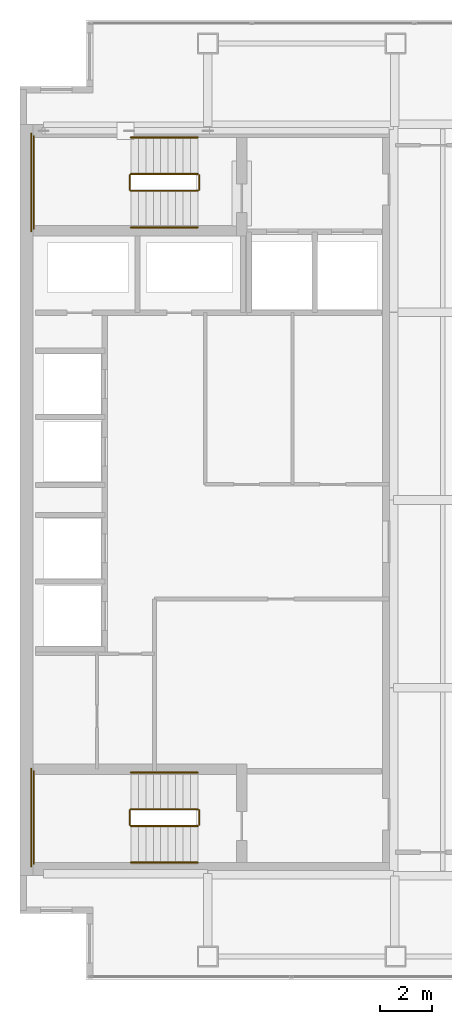
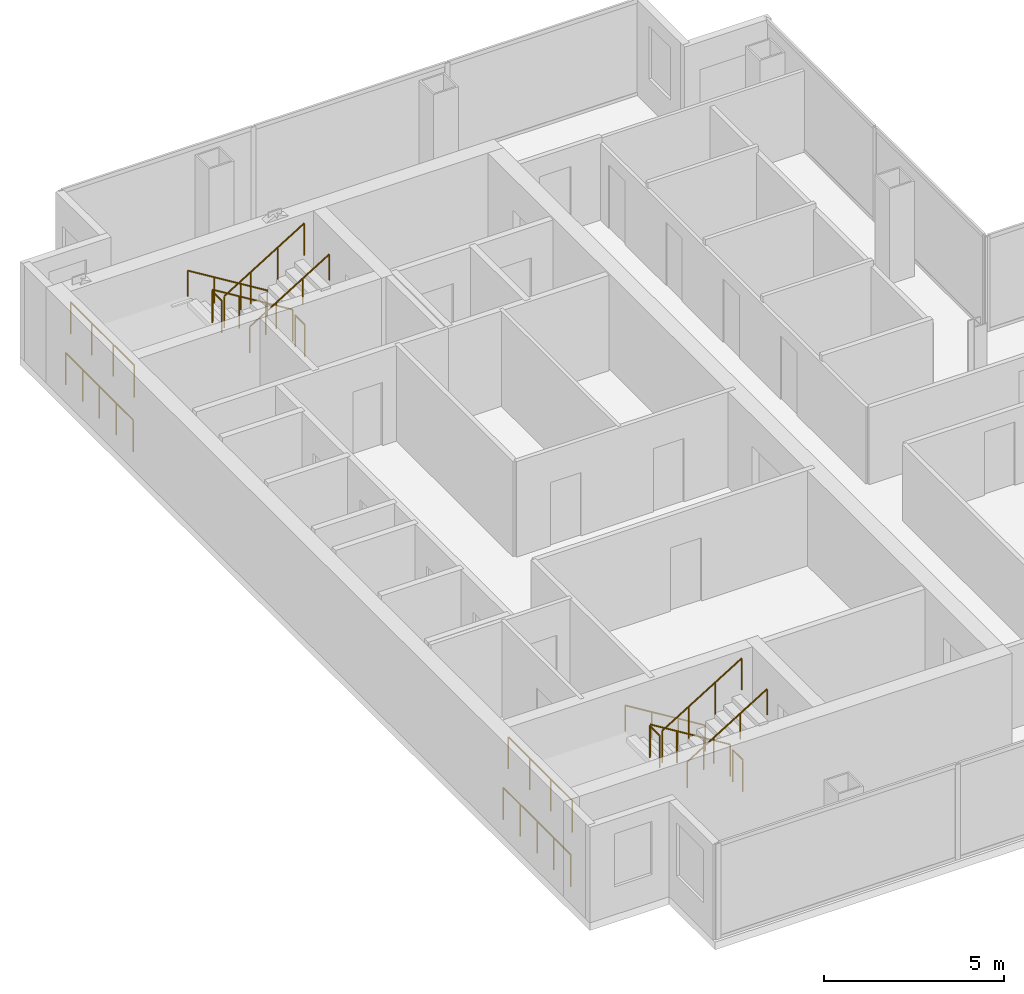
# One storey, part 23 of 23: 16 railings.
"""IFC4 building model written with IfcOpenShell, lengths in metres."""

from ifc_helpers import new_model, si_unit, direction, frame, origin, origin_2d, place, context, subcontext, project, spatial, circle, extrude, material, type_object, element, save


model = new_model("IFC4")

# Units and contexts
model_context = context("Model", 3, precision=1e-05, world=origin(), true_north=direction((0.0, 1.0)))
body_context = subcontext(model_context, "Body", "Model", "MODEL_VIEW")
ifc_project = project(units=[si_unit("LENGTHUNIT", "METRE"), si_unit("AREAUNIT", "SQUARE_METRE"), si_unit("VOLUMEUNIT", "CUBIC_METRE"), si_unit("PLANEANGLEUNIT", "RADIAN"), si_unit("MASSUNIT", "GRAM", prefix="KILO")], contexts=[model_context])

# Site, building, storey
site_placement = place(None, origin())
site = spatial("IfcSite", under=ifc_project, at=site_placement, CompositionType="ELEMENT")
building_placement = place(site_placement, origin())
building = spatial("IfcBuilding", under=site, at=building_placement, Name="Cobrela Telecom Tower", CompositionType="ELEMENT")
storey_placement = place(building_placement, frame((0.0, 0.0, 190.75)))
storey = spatial("IfcBuildingStorey", under=building, at=storey_placement, Name="L48", CompositionType="ELEMENT", Elevation=190.75)

# Railings
ifc_material = material(Name="Steel ASTM A36", Category="steel")
railing_type_1 = type_object("IfcRailingType", Name="RAIL-GUARD-1100", PredefinedType="GUARDRAIL", material=ifc_material)
railing_1_placement = place(storey_placement, frame((6.820068359375, 34.10009765625, 0.175048828125)))
element("IfcRailing", 1, at=railing_1_placement, inside=storey, type_object=railing_type_1, Name="L48 ST1 stair guard 1", PredefinedType="GUARDRAIL", context=body_context, shape_type="SweptSolid", body=[
    extrude(circle(Radius=0.02392578125, at=origin_2d()), frame((0.0, 0.0, 1.076171875), z_axis=(-0.852195335862, 0.0, 0.523223766217), x_axis=(0.0, -1.0, 0.0)), (0.0, 0.0, 1.0), 3.010009765625),
    extrude(circle(Radius=0.02099609375, at=origin_2d()), origin(), (0.0, 0.0, 1.0), 1.052001953125),
    extrude(circle(Radius=0.02099609375, at=origin_2d()), frame((-0.85498046875, 0.0, 0.52490234375)), (0.0, 0.0, 1.0), 1.052001953125),
    extrude(circle(Radius=0.02099609375, at=origin_2d()), frame((-1.710205078125, 0.0, 1.050048828125)), (0.0, 0.0, 1.0), 1.052001953125),
    extrude(circle(Radius=0.02099609375, at=origin_2d()), frame((-2.565185546875, 0.0, 1.574951171875)), (0.0, 0.0, 1.0), 1.052001953125),
])
railing_2_placement = place(storey_placement, frame((4.205078125, 34.050048828125, 1.75)))
element("IfcRailing", 2, at=railing_2_placement, inside=storey, type_object=railing_type_1, Name="L48 ST1 stair guard 2", PredefinedType="GUARDRAIL", context=body_context, shape_type="SweptSolid", body=[
    extrude(circle(Radius=0.02392578125, at=origin_2d()), frame((0.0, 0.0, 1.076171875), z_axis=(0.0, -1.0, 0.0), x_axis=(1.0, 0.0, 0.0)), (0.0, 0.0, 1.0), 0.550048828125),
    extrude(circle(Radius=0.02099609375, at=origin_2d()), origin(), (0.0, 0.0, 1.0), 1.052001953125),
    extrude(circle(Radius=0.02099609375, at=origin_2d()), frame((0.0, -0.550048828125, 0.0)), (0.0, 0.0, 1.0), 1.052001953125),
])
railing_3_placement = place(storey_placement, frame((0.530029296875, 35.550048828125, 1.75)))
element("IfcRailing", 3, at=railing_3_placement, inside=storey, type_object=railing_type_1, Name="L48 ST1 stair guard 3", PredefinedType="GUARDRAIL", context=body_context, shape_type="SweptSolid", body=[
    extrude(circle(Radius=0.02392578125, at=origin_2d()), frame((0.0, 0.0, 1.076171875), z_axis=(0.0, -1.0, 0.0), x_axis=(1.0, 0.0, 0.0)), (0.0, 0.0, 1.0), 3.550048828125),
    extrude(circle(Radius=0.02099609375, at=origin_2d()), origin(), (0.0, 0.0, 1.0), 1.052001953125),
    extrude(circle(Radius=0.02099609375, at=origin_2d()), frame((0.0, -1.183349609375, 0.0)), (0.0, 0.0, 1.0), 1.052001953125),
    extrude(circle(Radius=0.02099609375, at=origin_2d()), frame((0.0, -2.36669921875, 0.0)), (0.0, 0.0, 1.0), 1.052001953125),
    extrude(circle(Radius=0.02099609375, at=origin_2d()), frame((0.0, -3.550048828125, 0.0)), (0.0, 0.0, 1.0), 1.052001953125),
])
railing_4_placement = place(storey_placement, frame((4.2548828125, 33.449951171875, 1.925048828125)))
element("IfcRailing", 4, at=railing_4_placement, inside=storey, type_object=railing_type_1, Name="L48 ST1 stair guard 4", PredefinedType="GUARDRAIL", context=body_context, shape_type="SweptSolid", body=[
    extrude(circle(Radius=0.02392578125, at=origin_2d()), frame((0.0, 0.0, 1.076171875), z_axis=(0.852195335862, 0.0, 0.523223766217), x_axis=(0.0, 1.0, 0.0)), (0.0, 0.0, 1.0), 3.010009765625),
    extrude(circle(Radius=0.02099609375, at=origin_2d()), origin(), (0.0, 0.0, 1.0), 1.052001953125),
    extrude(circle(Radius=0.02099609375, at=origin_2d()), frame((0.85498046875, 0.0, 0.52490234375)), (0.0, 0.0, 1.0), 1.052001953125),
    extrude(circle(Radius=0.02099609375, at=origin_2d()), frame((1.710205078125, 0.0, 1.050048828125)), (0.0, 0.0, 1.0), 1.052001953125),
    extrude(circle(Radius=0.02099609375, at=origin_2d()), frame((2.565185546875, 0.0, 1.574951171875)), (0.0, 0.0, 1.0), 1.052001953125),
])
railing_5_placement = place(storey_placement, frame((6.8701171875, 34.050048828125, 0.0)))
element("IfcRailing", 5, at=railing_5_placement, inside=storey, type_object=railing_type_1, Name="L48 ST1 stair guard 5", PredefinedType="GUARDRAIL", context=body_context, shape_type="SweptSolid", body=[
    extrude(circle(Radius=0.02392578125, at=origin_2d()), frame((0.0, 0.0, 1.076171875), z_axis=(0.0, -1.0, 0.0), x_axis=(1.0, 0.0, 0.0)), (0.0, 0.0, 1.0), 0.550048828125),
    extrude(circle(Radius=0.02099609375, at=origin_2d()), origin(), (0.0, 0.0, 1.0), 1.052001953125),
    extrude(circle(Radius=0.02099609375, at=origin_2d()), frame((0.0, -0.550048828125, 0.0)), (0.0, 0.0, 1.0), 1.052001953125),
])
railing_6_placement = place(storey_placement, frame((0.429931640625, 35.64990234375, 0.0)))
element("IfcRailing", 6, at=railing_6_placement, inside=storey, type_object=railing_type_1, Name="L48 ST1 stair guard 6", PredefinedType="GUARDRAIL", context=body_context, shape_type="SweptSolid", body=[
    extrude(circle(Radius=0.02392578125, at=origin_2d()), frame((0.0, 0.0, 1.076171875), z_axis=(0.0, -1.0, 0.0), x_axis=(1.0, 0.0, 0.0)), (0.0, 0.0, 1.0), 3.75),
    extrude(circle(Radius=0.02099609375, at=origin_2d()), origin(), (0.0, 0.0, 1.0), 1.052001953125),
    extrude(circle(Radius=0.02099609375, at=origin_2d()), frame((0.0, -0.9375, 0.0)), (0.0, 0.0, 1.0), 1.052001953125),
    extrude(circle(Radius=0.02099609375, at=origin_2d()), frame((0.0, -1.875, 0.0)), (0.0, 0.0, 1.0), 1.052001953125),
    extrude(circle(Radius=0.02099609375, at=origin_2d()), frame((0.0, -2.8125, 0.0)), (0.0, 0.0, 1.0), 1.052001953125),
    extrude(circle(Radius=0.02099609375, at=origin_2d()), frame((0.0, -3.75, 0.0)), (0.0, 0.0, 1.0), 1.052001953125),
])
railing_7_placement = place(storey_placement, frame((6.820068359375, 9.75, 0.175048828125)))
element("IfcRailing", 7, at=railing_7_placement, inside=storey, type_object=railing_type_1, Name="L48 ST2 stair guard 1", PredefinedType="GUARDRAIL", context=body_context, shape_type="SweptSolid", body=[
    extrude(circle(Radius=0.02392578125, at=origin_2d()), frame((0.0, 0.0, 1.076171875), z_axis=(-0.852195335862, 0.0, 0.523223766217), x_axis=(0.0, -1.0, 0.0)), (0.0, 0.0, 1.0), 3.010009765625),
    extrude(circle(Radius=0.02099609375, at=origin_2d()), origin(), (0.0, 0.0, 1.0), 1.052001953125),
    extrude(circle(Radius=0.02099609375, at=origin_2d()), frame((-0.85498046875, 0.0, 0.52490234375)), (0.0, 0.0, 1.0), 1.052001953125),
    extrude(circle(Radius=0.02099609375, at=origin_2d()), frame((-1.710205078125, 0.0, 1.050048828125)), (0.0, 0.0, 1.0), 1.052001953125),
    extrude(circle(Radius=0.02099609375, at=origin_2d()), frame((-2.565185546875, 0.0, 1.574951171875)), (0.0, 0.0, 1.0), 1.052001953125),
])
railing_8_placement = place(storey_placement, frame((4.205078125, 9.699951171875, 1.75)))
element("IfcRailing", 8, at=railing_8_placement, inside=storey, type_object=railing_type_1, Name="L48 ST2 stair guard 2", PredefinedType="GUARDRAIL", context=body_context, shape_type="SweptSolid", body=[
    extrude(circle(Radius=0.02392578125, at=origin_2d()), frame((0.0, 0.0, 1.076171875), z_axis=(0.0, -1.0, 0.0), x_axis=(1.0, 0.0, 0.0)), (0.0, 0.0, 1.0), 0.550048828125),
    extrude(circle(Radius=0.02099609375, at=origin_2d()), origin(), (0.0, 0.0, 1.0), 1.052001953125),
    extrude(circle(Radius=0.02099609375, at=origin_2d()), frame((0.0, -0.550048828125, 0.0)), (0.0, 0.0, 1.0), 1.052001953125),
])
railing_9_placement = place(storey_placement, frame((0.530029296875, 11.199951171875, 1.75)))
element("IfcRailing", 9, at=railing_9_placement, inside=storey, type_object=railing_type_1, Name="L48 ST2 stair guard 3", PredefinedType="GUARDRAIL", context=body_context, shape_type="SweptSolid", body=[
    extrude(circle(Radius=0.02392578125, at=origin_2d()), frame((0.0, 0.0, 1.076171875), z_axis=(0.0, -1.0, 0.0), x_axis=(1.0, 0.0, 0.0)), (0.0, 0.0, 1.0), 3.550048828125),
    extrude(circle(Radius=0.02099609375, at=origin_2d()), origin(), (0.0, 0.0, 1.0), 1.052001953125),
    extrude(circle(Radius=0.02099609375, at=origin_2d()), frame((0.0, -1.183349609375, 0.0)), (0.0, 0.0, 1.0), 1.052001953125),
    extrude(circle(Radius=0.02099609375, at=origin_2d()), frame((0.0, -2.36669921875, 0.0)), (0.0, 0.0, 1.0), 1.052001953125),
    extrude(circle(Radius=0.02099609375, at=origin_2d()), frame((0.0, -3.550048828125, 0.0)), (0.0, 0.0, 1.0), 1.052001953125),
])
railing_10_placement = place(storey_placement, frame((4.2548828125, 9.10009765625, 1.925048828125)))
element("IfcRailing", 10, at=railing_10_placement, inside=storey, type_object=railing_type_1, Name="L48 ST2 stair guard 4", PredefinedType="GUARDRAIL", context=body_context, shape_type="SweptSolid", body=[
    extrude(circle(Radius=0.02392578125, at=origin_2d()), frame((0.0, 0.0, 1.076171875), z_axis=(0.852195335862, 0.0, 0.523223766217), x_axis=(0.0, 1.0, 0.0)), (0.0, 0.0, 1.0), 3.010009765625),
    extrude(circle(Radius=0.02099609375, at=origin_2d()), origin(), (0.0, 0.0, 1.0), 1.052001953125),
    extrude(circle(Radius=0.02099609375, at=origin_2d()), frame((0.85498046875, 0.0, 0.52490234375)), (0.0, 0.0, 1.0), 1.052001953125),
    extrude(circle(Radius=0.02099609375, at=origin_2d()), frame((1.710205078125, 0.0, 1.050048828125)), (0.0, 0.0, 1.0), 1.052001953125),
    extrude(circle(Radius=0.02099609375, at=origin_2d()), frame((2.565185546875, 0.0, 1.574951171875)), (0.0, 0.0, 1.0), 1.052001953125),
])
railing_11_placement = place(storey_placement, frame((6.8701171875, 9.699951171875, 0.0)))
element("IfcRailing", 11, at=railing_11_placement, inside=storey, type_object=railing_type_1, Name="L48 ST2 stair guard 5", PredefinedType="GUARDRAIL", context=body_context, shape_type="SweptSolid", body=[
    extrude(circle(Radius=0.02392578125, at=origin_2d()), frame((0.0, 0.0, 1.076171875), z_axis=(0.0, -1.0, 0.0), x_axis=(1.0, 0.0, 0.0)), (0.0, 0.0, 1.0), 0.550048828125),
    extrude(circle(Radius=0.02099609375, at=origin_2d()), origin(), (0.0, 0.0, 1.0), 1.052001953125),
    extrude(circle(Radius=0.02099609375, at=origin_2d()), frame((0.0, -0.550048828125, 0.0)), (0.0, 0.0, 1.0), 1.052001953125),
])
railing_12_placement = place(storey_placement, frame((0.429931640625, 11.300048828125, 0.0)))
element("IfcRailing", 12, at=railing_12_placement, inside=storey, type_object=railing_type_1, Name="L48 ST2 stair guard 6", PredefinedType="GUARDRAIL", context=body_context, shape_type="SweptSolid", body=[
    extrude(circle(Radius=0.02392578125, at=origin_2d()), frame((0.0, 0.0, 1.076171875), z_axis=(0.0, -1.0, 0.0), x_axis=(1.0, 0.0, 0.0)), (0.0, 0.0, 1.0), 3.75),
    extrude(circle(Radius=0.02099609375, at=origin_2d()), origin(), (0.0, 0.0, 1.0), 1.052001953125),
    extrude(circle(Radius=0.02099609375, at=origin_2d()), frame((0.0, -0.9375, 0.0)), (0.0, 0.0, 1.0), 1.052001953125),
    extrude(circle(Radius=0.02099609375, at=origin_2d()), frame((0.0, -1.875, 0.0)), (0.0, 0.0, 1.0), 1.052001953125),
    extrude(circle(Radius=0.02099609375, at=origin_2d()), frame((0.0, -2.8125, 0.0)), (0.0, 0.0, 1.0), 1.052001953125),
    extrude(circle(Radius=0.02099609375, at=origin_2d()), frame((0.0, -3.75, 0.0)), (0.0, 0.0, 1.0), 1.052001953125),
])
railing_type_2 = type_object("IfcRailingType", Name="RAIL-HAND-920", PredefinedType="HANDRAIL", material=ifc_material)
railing_13_placement = place(storey_placement, frame((6.820068359375, 35.5, 0.175048828125)))
element("IfcRailing", 13, at=railing_13_placement, inside=storey, type_object=railing_type_2, Name="L48 ST1 stair handrail 1", PredefinedType="HANDRAIL", context=body_context, shape_type="SweptSolid", body=[
    extrude(circle(Radius=0.02392578125, at=origin_2d()), frame((0.0, 0.0, 0.8759765625), z_axis=(-0.852195335862, 0.0, 0.523223766217), x_axis=(0.0, -1.0, 0.0)), (0.0, 0.0, 1.0), 3.010009765625),
    extrude(circle(Radius=0.02099609375, at=origin_2d()), origin(), (0.0, 0.0, 1.0), 0.851806640625),
    extrude(circle(Radius=0.02099609375, at=origin_2d()), frame((-0.85498046875, 0.0, 0.52490234375)), (0.0, 0.0, 1.0), 0.851806640625),
    extrude(circle(Radius=0.02099609375, at=origin_2d()), frame((-1.710205078125, 0.0, 1.050048828125)), (0.0, 0.0, 1.0), 0.851806640625),
    extrude(circle(Radius=0.02099609375, at=origin_2d()), frame((-2.565185546875, 0.0, 1.574951171875)), (0.0, 0.0, 1.0), 0.851806640625),
])
railing_14_placement = place(storey_placement, frame((4.2548828125, 32.050048828125, 1.925048828125)))
element("IfcRailing", 14, at=railing_14_placement, inside=storey, type_object=railing_type_2, Name="L48 ST1 stair handrail 2", PredefinedType="HANDRAIL", context=body_context, shape_type="SweptSolid", body=[
    extrude(circle(Radius=0.02392578125, at=origin_2d()), frame((0.0, 0.0, 0.8759765625), z_axis=(0.852195335862, 0.0, 0.523223766217), x_axis=(0.0, 1.0, 0.0)), (0.0, 0.0, 1.0), 3.010009765625),
    extrude(circle(Radius=0.02099609375, at=origin_2d()), origin(), (0.0, 0.0, 1.0), 0.851806640625),
    extrude(circle(Radius=0.02099609375, at=origin_2d()), frame((0.85498046875, 0.0, 0.52490234375)), (0.0, 0.0, 1.0), 0.851806640625),
    extrude(circle(Radius=0.02099609375, at=origin_2d()), frame((1.710205078125, 0.0, 1.050048828125)), (0.0, 0.0, 1.0), 0.851806640625),
    extrude(circle(Radius=0.02099609375, at=origin_2d()), frame((2.565185546875, 0.0, 1.574951171875)), (0.0, 0.0, 1.0), 0.851806640625),
])
railing_15_placement = place(storey_placement, frame((6.820068359375, 11.14990234375, 0.175048828125)))
element("IfcRailing", 15, at=railing_15_placement, inside=storey, type_object=railing_type_2, Name="L48 ST2 stair handrail 1", PredefinedType="HANDRAIL", context=body_context, shape_type="SweptSolid", body=[
    extrude(circle(Radius=0.02392578125, at=origin_2d()), frame((0.0, 0.0, 0.8759765625), z_axis=(-0.852195335862, 0.0, 0.523223766217), x_axis=(0.0, -1.0, 0.0)), (0.0, 0.0, 1.0), 3.010009765625),
    extrude(circle(Radius=0.02099609375, at=origin_2d()), origin(), (0.0, 0.0, 1.0), 0.851806640625),
    extrude(circle(Radius=0.02099609375, at=origin_2d()), frame((-0.85498046875, 0.0, 0.52490234375)), (0.0, 0.0, 1.0), 0.851806640625),
    extrude(circle(Radius=0.02099609375, at=origin_2d()), frame((-1.710205078125, 0.0, 1.050048828125)), (0.0, 0.0, 1.0), 0.851806640625),
    extrude(circle(Radius=0.02099609375, at=origin_2d()), frame((-2.565185546875, 0.0, 1.574951171875)), (0.0, 0.0, 1.0), 0.851806640625),
])
railing_16_placement = place(storey_placement, frame((4.2548828125, 7.699951171875, 1.925048828125)))
element("IfcRailing", 16, at=railing_16_placement, inside=storey, type_object=railing_type_2, Name="L48 ST2 stair handrail 2", PredefinedType="HANDRAIL", context=body_context, shape_type="SweptSolid", body=[
    extrude(circle(Radius=0.02392578125, at=origin_2d()), frame((0.0, 0.0, 0.8759765625), z_axis=(0.852195335862, 0.0, 0.523223766217), x_axis=(0.0, 1.0, 0.0)), (0.0, 0.0, 1.0), 3.010009765625),
    extrude(circle(Radius=0.02099609375, at=origin_2d()), origin(), (0.0, 0.0, 1.0), 0.851806640625),
    extrude(circle(Radius=0.02099609375, at=origin_2d()), frame((0.85498046875, 0.0, 0.52490234375)), (0.0, 0.0, 1.0), 0.851806640625),
    extrude(circle(Radius=0.02099609375, at=origin_2d()), frame((1.710205078125, 0.0, 1.050048828125)), (0.0, 0.0, 1.0), 0.851806640625),
    extrude(circle(Radius=0.02099609375, at=origin_2d()), frame((2.565185546875, 0.0, 1.574951171875)), (0.0, 0.0, 1.0), 0.851806640625),
])

save(model, "model.ifc")
